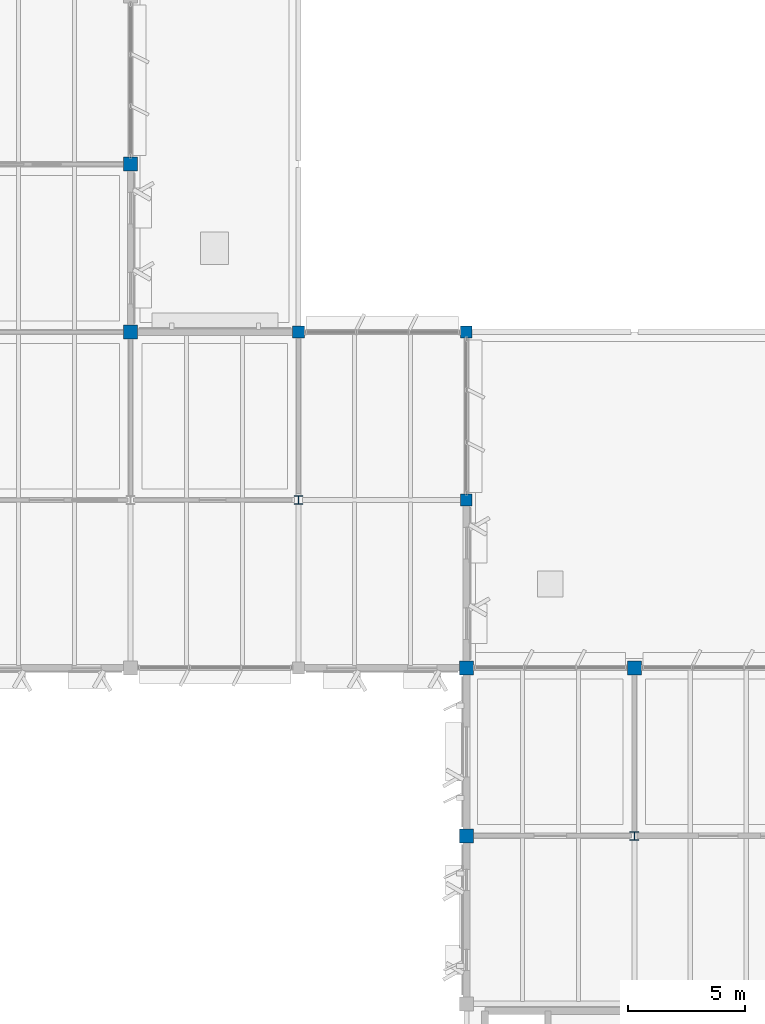
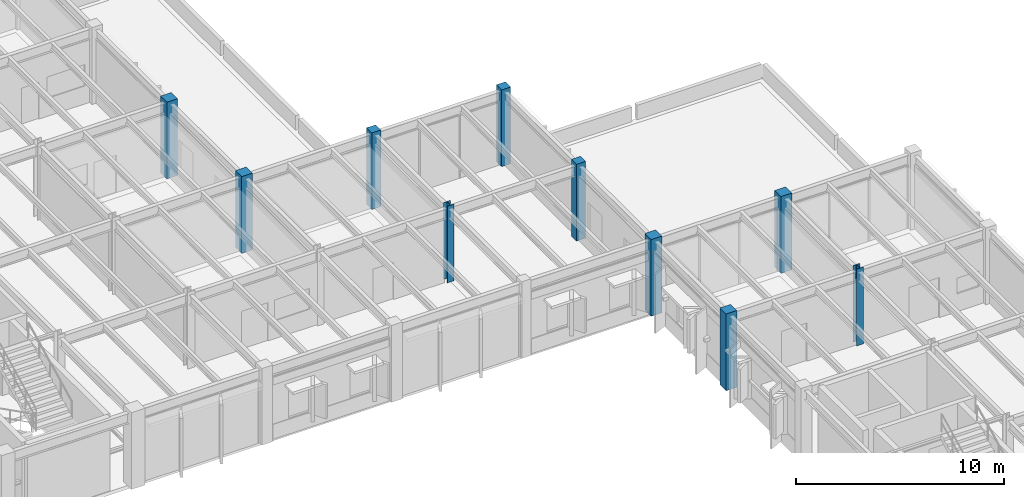
# One storey, part 12 of 92: 10 columns.
"""IFC4 building model written with IfcOpenShell, lengths in metres."""

import ifcopenshell
import ifcopenshell.guid

model = None  # the IFC model being written
_history = None  # IfcOwnerHistory: only IFC2X3 demands one
_inside = {}  # id of a spatial element -> (the spatial element, [elements in it])
_under = {}  # id of a project, library or spatial element -> (it, [spatial elements below it])
_declared = {}  # id of a project -> (the project, [libraries it declares])
_typed = {}  # id of a type object -> (the type object, [elements of that type])
_made_of = {}  # id of a material, layer set ... -> (it, [elements and type objects made of it])


def new_model(schema):
    """Start an empty IFC model of exactly this schema.

    Asked for "IFC4X3", IfcOpenShell would pick the latest addendum, in which some entities
    have other attributes; the version numbers below select the first issue.
    IFC2X3 requires an IfcOwnerHistory on every rooted entity: one is made here for all.
    """
    global model, _history
    if schema == "IFC4X3":
        model = ifcopenshell.file(schema_version=(4, 3, 0, 0))
    else:
        model = ifcopenshell.file(schema=schema)
    _inside.clear()
    _under.clear()
    _declared.clear()
    _typed.clear()
    _made_of.clear()
    _history = None
    if model.schema == "IFC2X3":
        org = make("IfcOrganization", Name="unknown")
        user = make(
            "IfcPersonAndOrganization",
            ThePerson=make("IfcPerson", FamilyName="unknown"),
            TheOrganization=org,
        )
        app = make(
            "IfcApplication",
            ApplicationDeveloper=org,
            Version="unknown",
            ApplicationFullName="unknown",
            ApplicationIdentifier="unknown",
        )
        _history = make(
            "IfcOwnerHistory",
            OwningUser=user,
            OwningApplication=app,
            ChangeAction="ADDED",
            CreationDate=0,
        )
    return model


def make(cls, **values):
    """One entity of the class cls with the attributes given. An attribute that is None is left unset."""
    return model.create_entity(
        cls, **{name: value for name, value in values.items() if value is not None}
    )


def rooted(cls, **values):
    """An entity with a GlobalId (a new one), such as an element, a storey or a relation."""
    return make(cls, GlobalId=ifcopenshell.guid.new(), OwnerHistory=_history, **values)


def si_unit(unit_type, name, prefix=None):
    """IfcSIUnit, for example si_unit("LENGTHUNIT", "METRE", prefix="MILLI")."""
    return make("IfcSIUnit", UnitType=unit_type, Prefix=prefix, Name=name)


def assignment(units):
    """IfcUnitAssignment: the units of a project."""
    return None if units is None else make("IfcUnitAssignment", Units=units)


def point(xyz):
    """IfcCartesianPoint."""
    return None if xyz is None else make("IfcCartesianPoint", Coordinates=xyz)


def direction(xyz):
    """IfcDirection."""
    return None if xyz is None else make("IfcDirection", DirectionRatios=xyz)


def frame(location, z_axis=None, x_axis=None):
    """IfcAxis2Placement3D, a coordinate frame: its origin and axes. An axis left out is left unset."""
    return make(
        "IfcAxis2Placement3D",
        Location=point(location),
        Axis=direction(z_axis),
        RefDirection=direction(x_axis),
    )


def frame_2d(location, x_axis=None):
    """IfcAxis2Placement2D, a coordinate frame in the plane: its origin and x axis."""
    return make(
        "IfcAxis2Placement2D", Location=point(location), RefDirection=direction(x_axis)
    )


def origin():
    """The frame at (0, 0, 0) with its axes left unset."""
    return frame((0.0, 0.0, 0.0))


def origin_2d():
    """The frame at (0, 0) in the plane with its x axis left unset."""
    return frame_2d((0.0, 0.0))


def place(relative_to, where):
    """IfcLocalPlacement: puts the frame where relative to a parent placement (None: the world)."""
    return make(
        "IfcLocalPlacement", PlacementRelTo=relative_to, RelativePlacement=where
    )


def context(
    kind, dimensions, precision=None, world=None, true_north=None, identifier=None
):
    """IfcGeometricRepresentationContext, for example the 3D "Model" context."""
    return make(
        "IfcGeometricRepresentationContext",
        ContextIdentifier=identifier,
        ContextType=kind,
        CoordinateSpaceDimension=dimensions,
        Precision=precision,
        WorldCoordinateSystem=world,
        TrueNorth=true_north,
    )


def subcontext(parent, identifier, kind, view, scale=None):
    """IfcGeometricRepresentationSubContext, for example "Body" below "Model"."""
    return make(
        "IfcGeometricRepresentationSubContext",
        ContextIdentifier=identifier,
        ContextType=kind,
        ParentContext=parent,
        TargetScale=scale,
        TargetView=view,
    )


def project(units=None, contexts=None):
    """IfcProject with its units and contexts."""
    return rooted(
        "IfcProject",
        Name="project",
        RepresentationContexts=contexts,
        UnitsInContext=assignment(units),
    )


def spatial(cls, under=None, at=None, **own):
    """A site, building, storey or space (cls), placed at a placement, below another one or the project."""
    s = rooted(cls, ObjectPlacement=at, **own)
    if under is not None:
        _under.setdefault(under.id(), (under, []))[1].append(s)
    return s


def profile(cls, at=None, kind="AREA", **sizes):
    """A parametric profile (cls). Its sizes go by their IFC names, for example OverallWidth=200.0."""
    return make(cls, ProfileType=kind, Position=at, **sizes)


def rectangle(**sizes):
    """IfcRectangleProfileDef."""
    return profile("IfcRectangleProfileDef", **sizes)


def i_section(**sizes):
    """IfcIShapeProfileDef."""
    return profile("IfcIShapeProfileDef", **sizes)


def extrude(swept, where, along, depth):
    """IfcExtrudedAreaSolid: the profile swept, set in the frame where, extruded along a direction by depth."""
    return make(
        "IfcExtrudedAreaSolid",
        SweptArea=swept,
        Position=where,
        ExtrudedDirection=direction(along),
        Depth=depth,
    )


def shape(context_of_items, identifier, shape_type, items):
    """IfcShapeRepresentation: the items that make up one representation, for example the "Body"."""
    return make(
        "IfcShapeRepresentation",
        ContextOfItems=context_of_items,
        RepresentationIdentifier=identifier,
        RepresentationType=shape_type,
        Items=items,
    )


def material(Name=None, Category=None):
    """IfcMaterial."""
    return make("IfcMaterial", Name=Name, Category=Category)


def material_profile(
    of_material, cross_section, Name=None, Category=None, Priority=None
):
    """IfcMaterialProfile: a cross section and its material."""
    return make(
        "IfcMaterialProfile",
        Name=Name,
        Material=of_material,
        Profile=cross_section,
        Priority=Priority,
        Category=Category,
    )


def profile_set(profiles, Name=None, composite=None):
    """IfcMaterialProfileSet."""
    return make(
        "IfcMaterialProfileSet",
        Name=Name,
        MaterialProfiles=profiles,
        CompositeProfile=composite,
    )


def made_of(thing, what):
    """Note that an element or type object is made of a material, layer set ...; save() writes the relation."""
    if what is not None:
        _made_of.setdefault(what.id(), (what, []))[1].append(thing)
    return thing


def type_object(cls, material=None, **own):
    """A type object (cls), such as IfcWallType, which elements share."""
    return made_of(rooted(cls, **own), material)


def element(
    cls,
    number,
    at=None,
    inside=None,
    cuts=None,
    type_object=None,
    material=None,
    context=None,
    identifier="Body",
    shape_type=None,
    held_by="IfcProductDefinitionShape",
    body=None,
    shapes=None,
    **own,
):
    """One element of the class cls, such as IfcWall. Its Tag is "e" and its number.

    at: its placement. inside: the storey or other place that contains it. cuts: it is an
    opening in that element (IfcRelVoidsElement). A single representation is given by context,
    identifier, shape_type and body (its items); several are given by shapes. held_by: the class
    of the entity that holds the representations. save() writes the other relations.
    """
    e = rooted(cls, Tag="e%d" % number, ObjectPlacement=at, **own)
    if body is not None:
        shapes = [shape(context, identifier, shape_type, body)]
    if shapes is not None:
        e.Representation = make(held_by, Representations=shapes)
    if inside is not None:
        _inside.setdefault(inside.id(), (inside, []))[1].append(e)
    if cuts is not None:
        rooted(
            "IfcRelVoidsElement", RelatingBuildingElement=cuts, RelatedOpeningElement=e
        )
    if type_object is not None:
        _typed.setdefault(type_object.id(), (type_object, []))[1].append(e)
    return made_of(e, material)


def aggregate(whole, parts):
    """IfcRelAggregates: a whole, such as a stair, and the parts it consists of."""
    return rooted("IfcRelAggregates", RelatingObject=whole, RelatedObjects=parts)


def save(model, path):
    """Write the relations noted so far, then the file.

    IfcRelAggregates (storeys below a building ...), IfcRelContainedInSpatialStructure (elements
    in a storey), IfcRelDefinesByType, IfcRelAssociatesMaterial and IfcRelDeclares: one each for
    every whole, place, type object, material and project.
    """
    for whole, parts in _under.values():
        aggregate(whole, parts)
    for where, things in _inside.values():
        rooted(
            "IfcRelContainedInSpatialStructure",
            RelatedElements=things,
            RelatingStructure=where,
        )
    for kind, things in _typed.values():
        rooted("IfcRelDefinesByType", RelatedObjects=things, RelatingType=kind)
    for what, things in _made_of.values():
        rooted("IfcRelAssociatesMaterial", RelatedObjects=things, RelatingMaterial=what)
    for by, libraries in _declared.values():
        rooted("IfcRelDeclares", RelatingContext=by, RelatedDefinitions=libraries)
    model.write(path)


model = new_model("IFC4")

# Units and contexts
model_context = context("Model", 3, precision=1e-05, world=origin(), true_north=direction((0.0, 1.0)))
body_context = subcontext(model_context, "Body", "Model", "MODEL_VIEW")
ifc_project = project(units=[si_unit("LENGTHUNIT", "METRE"), si_unit("AREAUNIT", "SQUARE_METRE"), si_unit("VOLUMEUNIT", "CUBIC_METRE"), si_unit("PLANEANGLEUNIT", "RADIAN"), si_unit("MASSUNIT", "GRAM", prefix="KILO")], contexts=[model_context])

# Site, building, storey
site_placement = place(None, origin())
site = spatial("IfcSite", under=ifc_project, at=site_placement, CompositionType="ELEMENT")
building_placement = place(site_placement, origin())
building = spatial("IfcBuilding", under=site, at=building_placement, Name="Sillqori Civic Hall", CompositionType="ELEMENT")
storey_placement = place(building_placement, frame((0.0, 0.0, 5.39990234375)))
storey = spatial("IfcBuildingStorey", under=building, at=storey_placement, Name="L02", CompositionType="ELEMENT", Elevation=5.39990234375)

# Columns
ifc_material_1 = material(Name="Concrete C35/45 (H35)", Category="concrete")
ifc_material_profile_1 = material_profile(ifc_material_1, rectangle(XDim=0.5, YDim=0.5, at=origin_2d()), Name="RC 500x500")
ifc_profile_set_1 = profile_set([ifc_material_profile_1], Name="Concrete C35/45 (H35)")
column_type_1 = type_object("IfcColumnType", Name="COL-RC500", PredefinedType="COLUMN", material=ifc_profile_set_1)
for number, where, z_axis, x_axis, name in (
    (1, (115.199951171875, 93.60009765625, 0.0), (0.0, 0.0, 1.0), (1.0, 0.0, 0.0), "L02 column 16-13"),
    (2, (122.39990234375, 86.39990234375, 0.0), (0.0, 0.0, 1.0), (1.0, 0.0, 0.0), "L02 column 17-12"),
    (3, (122.39990234375, 93.60009765625, 0.0), (0.0, 0.0, 1.0), (1.0, 0.0, 0.0), "L02 column 17-13"),
):
    element("IfcColumn", number, at=place(storey_placement, frame(where, z_axis=z_axis, x_axis=x_axis)), inside=storey, type_object=column_type_1, Name=name, PredefinedType="COLUMN", context=body_context, shape_type="SweptSolid", body=[
        extrude(rectangle(XDim=0.5, YDim=0.5, at=origin_2d()), origin(), (0.0, 0.0, 1.0), 4.5),
    ])
ifc_material_profile_2 = material_profile(ifc_material_1, rectangle(XDim=0.60009765625, YDim=0.60009765625, at=origin_2d()), Name="RC 600x600")
ifc_profile_set_2 = profile_set([ifc_material_profile_2], Name="Concrete C35/45 (H35)")
column_type_2 = type_object("IfcColumnType", Name="COL-RC600", PredefinedType="COLUMN", material=ifc_profile_set_2)
for number, where, z_axis, x_axis, name in (
    (4, (108.0, 93.60009765625, 0.0), (0.0, 0.0, 1.0), (1.0, 0.0, 0.0), "L02 column 15-13"),
    (5, (108.0, 100.800048828125, 0.0), (0.0, 0.0, 1.0), (1.0, 0.0, 0.0), "L02 column 15-14"),
    (6, (122.39990234375, 72.0, 0.0), (0.0, 0.0, 1.0), (1.0, 0.0, 0.0), "L02 column 17-10"),
    (7, (122.39990234375, 79.199951171875, 0.0), (0.0, 0.0, 1.0), (1.0, 0.0, 0.0), "L02 column 17-11"),
    (8, (129.60009765625, 79.199951171875, 0.0), (0.0, 0.0, 1.0), (1.0, 0.0, 0.0), "L02 column 18-11"),
):
    element("IfcColumn", number, at=place(storey_placement, frame(where, z_axis=z_axis, x_axis=x_axis)), inside=storey, type_object=column_type_2, Name=name, PredefinedType="COLUMN", context=body_context, shape_type="SweptSolid", body=[
        extrude(rectangle(XDim=0.60009765625, YDim=0.60009765625, at=origin_2d()), origin(), (0.0, 0.0, 1.0), 4.5),
    ])
ifc_material_2 = material(Name="Steel ASTM A992", Category="steel")
ifc_material_profile_3 = material_profile(ifc_material_2, i_section(OverallWidth=0.373046875, OverallDepth=0.367919921875, WebThickness=0.014892578125, FlangeThickness=0.02392578125, FilletRadius=0.014892578125, at=origin_2d()), Name="W14X120")
ifc_profile_set_3 = profile_set([ifc_material_profile_3], Name="Steel ASTM A992")
column_type_3 = type_object("IfcColumnType", Name="COL-W14X120", PredefinedType="COLUMN", material=ifc_profile_set_3)
column_1_placement = place(storey_placement, frame((129.60009765625, 72.0, 0.0), z_axis=(0.0, 0.0, 1.0), x_axis=(1.0, 0.0, 0.0)))
element("IfcColumn", 9, at=column_1_placement, inside=storey, type_object=column_type_3, Name="L02 column 18-10", PredefinedType="COLUMN", context=body_context, shape_type="SweptSolid", body=[
    extrude(i_section(OverallWidth=0.373046875, OverallDepth=0.367919921875, WebThickness=0.014892578125, FlangeThickness=0.02392578125, FilletRadius=0.014892578125, at=origin_2d()), origin(), (0.0, 0.0, 1.0), 4.5),
])
ifc_material_profile_4 = material_profile(ifc_material_2, i_section(OverallWidth=0.37109375, OverallDepth=0.361083984375, WebThickness=0.012451171875, FlangeThickness=0.019775390625, FilletRadius=0.014892578125, at=origin_2d()), Name="W14X99")
ifc_profile_set_4 = profile_set([ifc_material_profile_4], Name="Steel ASTM A992")
column_type_4 = type_object("IfcColumnType", Name="COL-W14X99", PredefinedType="COLUMN", material=ifc_profile_set_4)
column_2_placement = place(storey_placement, frame((115.199951171875, 86.39990234375, 0.0), z_axis=(0.0, 0.0, 1.0), x_axis=(1.0, 0.0, 0.0)))
element("IfcColumn", 10, at=column_2_placement, inside=storey, type_object=column_type_4, Name="L02 column 16-12", PredefinedType="COLUMN", context=body_context, shape_type="SweptSolid", body=[
    extrude(i_section(OverallWidth=0.37109375, OverallDepth=0.361083984375, WebThickness=0.012451171875, FlangeThickness=0.019775390625, FilletRadius=0.014892578125, at=origin_2d()), origin(), (0.0, 0.0, 1.0), 4.5),
])

save(model, "model.ifc")
